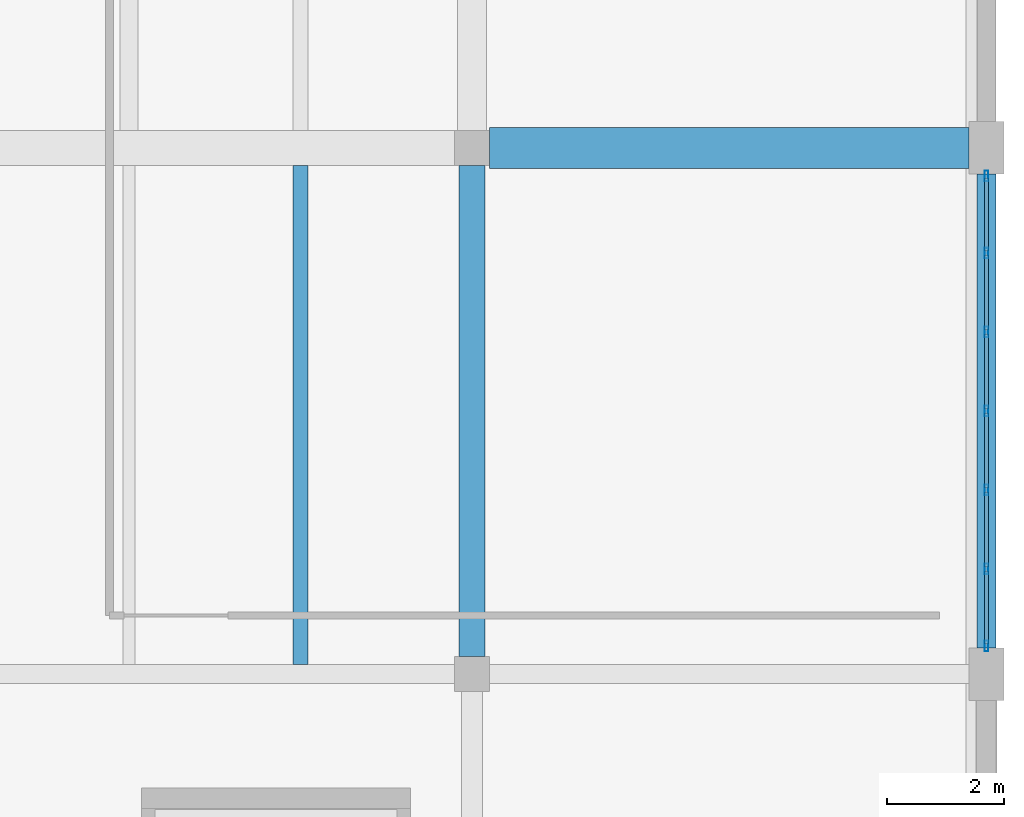
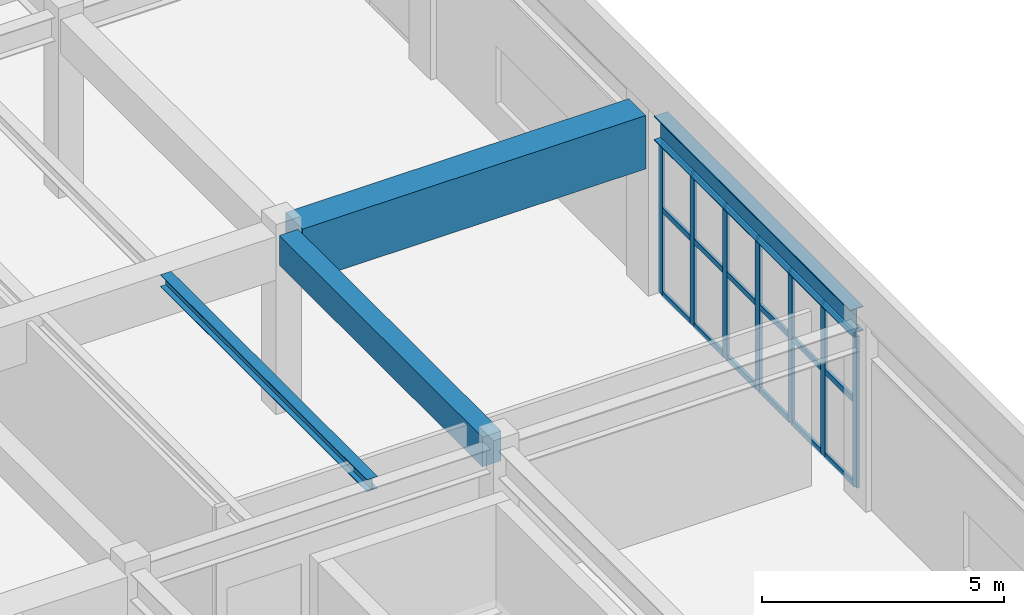
# One storey, part 57 of 96: 25 members, 4 beams, 1 element without a shape of its own.
"""IFC4 building model written with IfcOpenShell, lengths in metres."""

import ifcopenshell
import ifcopenshell.guid

model = None  # the IFC model being written
_history = None  # IfcOwnerHistory: only IFC2X3 demands one
_inside = {}  # id of a spatial element -> (the spatial element, [elements in it])
_under = {}  # id of a project, library or spatial element -> (it, [spatial elements below it])
_declared = {}  # id of a project -> (the project, [libraries it declares])
_typed = {}  # id of a type object -> (the type object, [elements of that type])
_made_of = {}  # id of a material, layer set ... -> (it, [elements and type objects made of it])


def new_model(schema):
    """Start an empty IFC model of exactly this schema.

    Asked for "IFC4X3", IfcOpenShell would pick the latest addendum, in which some entities
    have other attributes; the version numbers below select the first issue.
    IFC2X3 requires an IfcOwnerHistory on every rooted entity: one is made here for all.
    """
    global model, _history
    if schema == "IFC4X3":
        model = ifcopenshell.file(schema_version=(4, 3, 0, 0))
    else:
        model = ifcopenshell.file(schema=schema)
    _inside.clear()
    _under.clear()
    _declared.clear()
    _typed.clear()
    _made_of.clear()
    _history = None
    if model.schema == "IFC2X3":
        org = make("IfcOrganization", Name="unknown")
        user = make(
            "IfcPersonAndOrganization",
            ThePerson=make("IfcPerson", FamilyName="unknown"),
            TheOrganization=org,
        )
        app = make(
            "IfcApplication",
            ApplicationDeveloper=org,
            Version="unknown",
            ApplicationFullName="unknown",
            ApplicationIdentifier="unknown",
        )
        _history = make(
            "IfcOwnerHistory",
            OwningUser=user,
            OwningApplication=app,
            ChangeAction="ADDED",
            CreationDate=0,
        )
    return model


def make(cls, **values):
    """One entity of the class cls with the attributes given. An attribute that is None is left unset."""
    return model.create_entity(
        cls, **{name: value for name, value in values.items() if value is not None}
    )


def rooted(cls, **values):
    """An entity with a GlobalId (a new one), such as an element, a storey or a relation."""
    return make(cls, GlobalId=ifcopenshell.guid.new(), OwnerHistory=_history, **values)


def si_unit(unit_type, name, prefix=None):
    """IfcSIUnit, for example si_unit("LENGTHUNIT", "METRE", prefix="MILLI")."""
    return make("IfcSIUnit", UnitType=unit_type, Prefix=prefix, Name=name)


def assignment(units):
    """IfcUnitAssignment: the units of a project."""
    return None if units is None else make("IfcUnitAssignment", Units=units)


def point(xyz):
    """IfcCartesianPoint."""
    return None if xyz is None else make("IfcCartesianPoint", Coordinates=xyz)


def direction(xyz):
    """IfcDirection."""
    return None if xyz is None else make("IfcDirection", DirectionRatios=xyz)


def frame(location, z_axis=None, x_axis=None):
    """IfcAxis2Placement3D, a coordinate frame: its origin and axes. An axis left out is left unset."""
    return make(
        "IfcAxis2Placement3D",
        Location=point(location),
        Axis=direction(z_axis),
        RefDirection=direction(x_axis),
    )


def frame_2d(location, x_axis=None):
    """IfcAxis2Placement2D, a coordinate frame in the plane: its origin and x axis."""
    return make(
        "IfcAxis2Placement2D", Location=point(location), RefDirection=direction(x_axis)
    )


def origin():
    """The frame at (0, 0, 0) with its axes left unset."""
    return frame((0.0, 0.0, 0.0))


def origin_2d():
    """The frame at (0, 0) in the plane with its x axis left unset."""
    return frame_2d((0.0, 0.0))


def place(relative_to, where):
    """IfcLocalPlacement: puts the frame where relative to a parent placement (None: the world)."""
    return make(
        "IfcLocalPlacement", PlacementRelTo=relative_to, RelativePlacement=where
    )


def context(
    kind, dimensions, precision=None, world=None, true_north=None, identifier=None
):
    """IfcGeometricRepresentationContext, for example the 3D "Model" context."""
    return make(
        "IfcGeometricRepresentationContext",
        ContextIdentifier=identifier,
        ContextType=kind,
        CoordinateSpaceDimension=dimensions,
        Precision=precision,
        WorldCoordinateSystem=world,
        TrueNorth=true_north,
    )


def subcontext(parent, identifier, kind, view, scale=None):
    """IfcGeometricRepresentationSubContext, for example "Body" below "Model"."""
    return make(
        "IfcGeometricRepresentationSubContext",
        ContextIdentifier=identifier,
        ContextType=kind,
        ParentContext=parent,
        TargetScale=scale,
        TargetView=view,
    )


def project(units=None, contexts=None):
    """IfcProject with its units and contexts."""
    return rooted(
        "IfcProject",
        Name="project",
        RepresentationContexts=contexts,
        UnitsInContext=assignment(units),
    )


def spatial(cls, under=None, at=None, **own):
    """A site, building, storey or space (cls), placed at a placement, below another one or the project."""
    s = rooted(cls, ObjectPlacement=at, **own)
    if under is not None:
        _under.setdefault(under.id(), (under, []))[1].append(s)
    return s


def profile(cls, at=None, kind="AREA", **sizes):
    """A parametric profile (cls). Its sizes go by their IFC names, for example OverallWidth=200.0."""
    return make(cls, ProfileType=kind, Position=at, **sizes)


def rectangle(**sizes):
    """IfcRectangleProfileDef."""
    return profile("IfcRectangleProfileDef", **sizes)


def hollow_rectangle(**sizes):
    """IfcRectangleHollowProfileDef."""
    return profile("IfcRectangleHollowProfileDef", **sizes)


def i_section(**sizes):
    """IfcIShapeProfileDef."""
    return profile("IfcIShapeProfileDef", **sizes)


def extrude(swept, where, along, depth):
    """IfcExtrudedAreaSolid: the profile swept, set in the frame where, extruded along a direction by depth."""
    return make(
        "IfcExtrudedAreaSolid",
        SweptArea=swept,
        Position=where,
        ExtrudedDirection=direction(along),
        Depth=depth,
    )


def shape(context_of_items, identifier, shape_type, items):
    """IfcShapeRepresentation: the items that make up one representation, for example the "Body"."""
    return make(
        "IfcShapeRepresentation",
        ContextOfItems=context_of_items,
        RepresentationIdentifier=identifier,
        RepresentationType=shape_type,
        Items=items,
    )


def material(Name=None, Category=None):
    """IfcMaterial."""
    return make("IfcMaterial", Name=Name, Category=Category)


def layer(
    of_material, thickness, ventilated=None, Name=None, Category=None, Priority=None
):
    """IfcMaterialLayer: one layer of a wall or slab, of a material (None: an air gap)."""
    return make(
        "IfcMaterialLayer",
        Material=of_material,
        LayerThickness=thickness,
        IsVentilated=ventilated,
        Name=Name,
        Category=Category,
        Priority=Priority,
    )


def layer_set(layers, Name=None):
    """IfcMaterialLayerSet."""
    return make("IfcMaterialLayerSet", MaterialLayers=layers, LayerSetName=Name)


def material_profile(
    of_material, cross_section, Name=None, Category=None, Priority=None
):
    """IfcMaterialProfile: a cross section and its material."""
    return make(
        "IfcMaterialProfile",
        Name=Name,
        Material=of_material,
        Profile=cross_section,
        Priority=Priority,
        Category=Category,
    )


def profile_set(profiles, Name=None, composite=None):
    """IfcMaterialProfileSet."""
    return make(
        "IfcMaterialProfileSet",
        Name=Name,
        MaterialProfiles=profiles,
        CompositeProfile=composite,
    )


def made_of(thing, what):
    """Note that an element or type object is made of a material, layer set ...; save() writes the relation."""
    if what is not None:
        _made_of.setdefault(what.id(), (what, []))[1].append(thing)
    return thing


def type_object(cls, material=None, **own):
    """A type object (cls), such as IfcWallType, which elements share."""
    return made_of(rooted(cls, **own), material)


def element(
    cls,
    number,
    at=None,
    inside=None,
    cuts=None,
    type_object=None,
    material=None,
    context=None,
    identifier="Body",
    shape_type=None,
    held_by="IfcProductDefinitionShape",
    body=None,
    shapes=None,
    **own,
):
    """One element of the class cls, such as IfcWall. Its Tag is "e" and its number.

    at: its placement. inside: the storey or other place that contains it. cuts: it is an
    opening in that element (IfcRelVoidsElement). A single representation is given by context,
    identifier, shape_type and body (its items); several are given by shapes. held_by: the class
    of the entity that holds the representations. save() writes the other relations.
    """
    e = rooted(cls, Tag="e%d" % number, ObjectPlacement=at, **own)
    if body is not None:
        shapes = [shape(context, identifier, shape_type, body)]
    if shapes is not None:
        e.Representation = make(held_by, Representations=shapes)
    if inside is not None:
        _inside.setdefault(inside.id(), (inside, []))[1].append(e)
    if cuts is not None:
        rooted(
            "IfcRelVoidsElement", RelatingBuildingElement=cuts, RelatedOpeningElement=e
        )
    if type_object is not None:
        _typed.setdefault(type_object.id(), (type_object, []))[1].append(e)
    return made_of(e, material)


def aggregate(whole, parts):
    """IfcRelAggregates: a whole, such as a stair, and the parts it consists of."""
    return rooted("IfcRelAggregates", RelatingObject=whole, RelatedObjects=parts)


def save(model, path):
    """Write the relations noted so far, then the file.

    IfcRelAggregates (storeys below a building ...), IfcRelContainedInSpatialStructure (elements
    in a storey), IfcRelDefinesByType, IfcRelAssociatesMaterial and IfcRelDeclares: one each for
    every whole, place, type object, material and project.
    """
    for whole, parts in _under.values():
        aggregate(whole, parts)
    for where, things in _inside.values():
        rooted(
            "IfcRelContainedInSpatialStructure",
            RelatedElements=things,
            RelatingStructure=where,
        )
    for kind, things in _typed.values():
        rooted("IfcRelDefinesByType", RelatedObjects=things, RelatingType=kind)
    for what, things in _made_of.values():
        rooted("IfcRelAssociatesMaterial", RelatedObjects=things, RelatingMaterial=what)
    for by, libraries in _declared.values():
        rooted("IfcRelDeclares", RelatingContext=by, RelatedDefinitions=libraries)
    model.write(path)


model = new_model("IFC4")

# Units and contexts
model_context = context("Model", 3, precision=1e-05, world=origin(), true_north=direction((0.0, 1.0)))
body_context = subcontext(model_context, "Body", "Model", "MODEL_VIEW")
ifc_project = project(units=[si_unit("LENGTHUNIT", "METRE"), si_unit("AREAUNIT", "SQUARE_METRE"), si_unit("VOLUMEUNIT", "CUBIC_METRE"), si_unit("PLANEANGLEUNIT", "RADIAN"), si_unit("MASSUNIT", "GRAM", prefix="KILO")], contexts=[model_context])

# Site, building, storey
site_placement = place(None, origin())
site = spatial("IfcSite", under=ifc_project, at=site_placement, CompositionType="ELEMENT")
building_placement = place(site_placement, origin())
building = spatial("IfcBuilding", under=site, at=building_placement, Name="Vaelkrest Opera House", CompositionType="ELEMENT")
storey_placement = place(building_placement, frame((0.0, 0.0, 5.39990234375)))
storey = spatial("IfcBuildingStorey", under=building, at=storey_placement, Name="L01", CompositionType="ELEMENT", Elevation=5.39990234375)

# Beams
ifc_material_1 = material(Name="Concrete C50/60", Category="concrete")
ifc_material_profile_1 = material_profile(ifc_material_1, rectangle(XDim=0.449951171875, YDim=0.75, at=origin_2d()), Name="RCB450X750")
ifc_profile_set_1 = profile_set([ifc_material_profile_1], Name="Concrete C50/60")
beam_type_1 = type_object("IfcBeamType", Name="B02", PredefinedType="BEAM", material=ifc_profile_set_1)
beam_1_placement = place(storey_placement, frame((77.60009765625, -7.5, 4.125), z_axis=(0.0, 1.0, 0.0), x_axis=(-1.0, 0.0, 0.0)))
element("IfcBeam", 1, at=beam_1_placement, inside=storey, type_object=beam_type_1, Name="Beam BM-V4-L01-2203", PredefinedType="BEAM", context=body_context, shape_type="SweptSolid", body=[
    extrude(rectangle(XDim=0.449951171875, YDim=0.75, at=origin_2d()), origin(), (0.0, 0.0, 1.0), 8.39990234375),
])
ifc_material_profile_2 = material_profile(ifc_material_1, rectangle(XDim=0.699951171875, YDim=1.35009765625, at=origin_2d()), Name="RCB700X1350")
ifc_profile_set_2 = profile_set([ifc_material_profile_2], Name="Concrete C50/60")
beam_type_2 = type_object("IfcBeamType", Name="B06", PredefinedType="BEAM", material=ifc_profile_set_2)
beam_2_placement = place(storey_placement, frame((77.89990234375, 1.199951171875, 3.830078125), z_axis=(1.0, 0.0, 0.0), x_axis=(0.0, 1.0, 0.0)))
element("IfcBeam", 2, at=beam_2_placement, inside=storey, type_object=beam_type_2, Name="Beam BM-V4-L01-2143", PredefinedType="BEAM", context=body_context, shape_type="SweptSolid", body=[
    extrude(rectangle(XDim=0.699951171875, YDim=1.35009765625, at=origin_2d()), origin(), (0.0, 0.0, 1.0), 8.2001953125),
])

# Curtain wall, members
ifc_material_2 = material(Name="Dark bronze anodized aluminium", Category="aluminium")
ifc_layer = layer(ifc_material_2, 0.179931640625)
ifc_layer_set = layer_set([ifc_layer], Name="Dark bronze anodized aluminium")
curtain_wall_type = type_object("IfcCurtainWallType", Name="CW01", PredefinedType="NOTDEFINED", material=ifc_layer_set)
curtain_wall_placement = place(storey_placement, origin())
curtain_wall = element("IfcCurtainWall", 3, at=curtain_wall_placement, inside=storey, type_object=curtain_wall_type, Name="Curtain wall CW-L01-159", PredefinedType="NOTDEFINED")
ifc_material_profile_3 = material_profile(ifc_material_2, hollow_rectangle(XDim=0.06494140625, YDim=0.179931640625, WallThickness=0.00390625, at=origin_2d()), Name="CWM65X180")
ifc_profile_set_3 = profile_set([ifc_material_profile_3], Name="Dark bronze anodized aluminium")
member_type_1 = type_object("IfcMemberType", Name="CWM01", PredefinedType="MULLION", material=ifc_profile_set_3)
member_1_placement = place(storey_placement, frame((86.39990234375, 0.719482421875, 0.0), z_axis=(0.0, 0.0, 1.0), x_axis=(1.0, 0.0, 0.0)))
member_1 = element("IfcMember", 4, at=member_1_placement, type_object=member_type_1, Name="CW01 mullion 1", PredefinedType="MULLION", context=body_context, shape_type="SweptSolid", body=[
    extrude(hollow_rectangle(XDim=0.06494140625, YDim=0.179931640625, WallThickness=0.00390625, at=origin_2d()), origin(), (0.0, 0.0, 1.0), 3.8291015625),
])
member_2_placement = place(storey_placement, frame((86.39990234375, -0.5986328125, 0.0), z_axis=(0.0, 0.0, 1.0), x_axis=(1.0, 0.0, 0.0)))
member_2 = element("IfcMember", 5, at=member_2_placement, type_object=member_type_1, Name="CW01 mullion 2", PredefinedType="MULLION", context=body_context, shape_type="SweptSolid", body=[
    extrude(hollow_rectangle(XDim=0.06494140625, YDim=0.179931640625, WallThickness=0.00390625, at=origin_2d()), origin(), (0.0, 0.0, 1.0), 3.8291015625),
])
member_3_placement = place(storey_placement, frame((86.39990234375, -1.94921875, 0.0), z_axis=(0.0, 0.0, 1.0), x_axis=(1.0, 0.0, 0.0)))
member_3 = element("IfcMember", 6, at=member_3_placement, type_object=member_type_1, Name="CW01 mullion 3", PredefinedType="MULLION", context=body_context, shape_type="SweptSolid", body=[
    extrude(hollow_rectangle(XDim=0.06494140625, YDim=0.179931640625, WallThickness=0.00390625, at=origin_2d()), origin(), (0.0, 0.0, 1.0), 3.8291015625),
])
member_4_placement = place(storey_placement, frame((86.39990234375, -3.300048828125, 0.0), z_axis=(0.0, 0.0, 1.0), x_axis=(1.0, 0.0, 0.0)))
member_4 = element("IfcMember", 7, at=member_4_placement, type_object=member_type_1, Name="CW01 mullion 4", PredefinedType="MULLION", context=body_context, shape_type="SweptSolid", body=[
    extrude(hollow_rectangle(XDim=0.06494140625, YDim=0.179931640625, WallThickness=0.00390625, at=origin_2d()), origin(), (0.0, 0.0, 1.0), 3.8291015625),
])
member_5_placement = place(storey_placement, frame((86.39990234375, -4.650634765625, 0.0), z_axis=(0.0, 0.0, 1.0), x_axis=(1.0, 0.0, 0.0)))
member_5 = element("IfcMember", 8, at=member_5_placement, type_object=member_type_1, Name="CW01 mullion 5", PredefinedType="MULLION", context=body_context, shape_type="SweptSolid", body=[
    extrude(hollow_rectangle(XDim=0.06494140625, YDim=0.179931640625, WallThickness=0.00390625, at=origin_2d()), origin(), (0.0, 0.0, 1.0), 3.8291015625),
])
member_6_placement = place(storey_placement, frame((86.39990234375, -6.001220703125, 0.0), z_axis=(0.0, 0.0, 1.0), x_axis=(1.0, 0.0, 0.0)))
member_6 = element("IfcMember", 9, at=member_6_placement, type_object=member_type_1, Name="CW01 mullion 6", PredefinedType="MULLION", context=body_context, shape_type="SweptSolid", body=[
    extrude(hollow_rectangle(XDim=0.06494140625, YDim=0.179931640625, WallThickness=0.00390625, at=origin_2d()), origin(), (0.0, 0.0, 1.0), 3.8291015625),
])
member_7_placement = place(storey_placement, frame((86.39990234375, -7.319580078125, 0.0), z_axis=(0.0, 0.0, 1.0), x_axis=(1.0, 0.0, 0.0)))
member_7 = element("IfcMember", 10, at=member_7_placement, type_object=member_type_1, Name="CW01 mullion 7", PredefinedType="MULLION", context=body_context, shape_type="SweptSolid", body=[
    extrude(hollow_rectangle(XDim=0.06494140625, YDim=0.179931640625, WallThickness=0.00390625, at=origin_2d()), origin(), (0.0, 0.0, 1.0), 3.8291015625),
])
ifc_material_profile_4 = material_profile(ifc_material_2, hollow_rectangle(XDim=0.06494140625, YDim=0.139892578125, WallThickness=0.00390625, at=origin_2d()), Name="CWT65X140")
ifc_profile_set_4 = profile_set([ifc_material_profile_4], Name="Dark bronze anodized aluminium")
member_type_2 = type_object("IfcMemberType", Name="CWT01", PredefinedType="USERDEFINED", material=ifc_profile_set_4)
member_8_placement = place(storey_placement, frame((86.39990234375, 0.68701171875, 0.03271484375), z_axis=(0.0, -1.0, 0.0), x_axis=(1.0, 0.0, 0.0)))
member_8 = element("IfcMember", 11, at=member_8_placement, type_object=member_type_2, Name="CW01 transom 1.1", ObjectType="TRANSOM", PredefinedType="USERDEFINED", context=body_context, shape_type="SweptSolid", body=[
    extrude(hollow_rectangle(XDim=0.06494140625, YDim=0.139892578125, WallThickness=0.00390625, at=origin_2d()), origin(), (0.0, 0.0, 1.0), 1.253173828125),
])
member_9_placement = place(storey_placement, frame((86.39990234375, 0.68701171875, 2.150146484375), z_axis=(0.0, -1.0, 0.0), x_axis=(1.0, 0.0, 0.0)))
member_9 = element("IfcMember", 12, at=member_9_placement, type_object=member_type_2, Name="CW01 transom 1.2", ObjectType="TRANSOM", PredefinedType="USERDEFINED", context=body_context, shape_type="SweptSolid", body=[
    extrude(hollow_rectangle(XDim=0.06494140625, YDim=0.139892578125, WallThickness=0.00390625, at=origin_2d()), origin(), (0.0, 0.0, 1.0), 1.253173828125),
])
member_10_placement = place(storey_placement, frame((86.39990234375, 0.68701171875, 3.796630859375), z_axis=(0.0, -1.0, 0.0), x_axis=(1.0, 0.0, 0.0)))
member_10 = element("IfcMember", 13, at=member_10_placement, type_object=member_type_2, Name="CW01 transom 1.3", ObjectType="TRANSOM", PredefinedType="USERDEFINED", context=body_context, shape_type="SweptSolid", body=[
    extrude(hollow_rectangle(XDim=0.06494140625, YDim=0.139892578125, WallThickness=0.00390625, at=origin_2d()), origin(), (0.0, 0.0, 1.0), 1.253173828125),
])
member_11_placement = place(storey_placement, frame((86.39990234375, -0.631103515625, 0.03271484375), z_axis=(0.0, -1.0, 0.0), x_axis=(1.0, 0.0, 0.0)))
member_11 = element("IfcMember", 14, at=member_11_placement, type_object=member_type_2, Name="CW01 transom 2.1", ObjectType="TRANSOM", PredefinedType="USERDEFINED", context=body_context, shape_type="SweptSolid", body=[
    extrude(hollow_rectangle(XDim=0.06494140625, YDim=0.139892578125, WallThickness=0.00390625, at=origin_2d()), origin(), (0.0, 0.0, 1.0), 1.28564453125),
])
member_12_placement = place(storey_placement, frame((86.39990234375, -0.631103515625, 2.150146484375), z_axis=(0.0, -1.0, 0.0), x_axis=(1.0, 0.0, 0.0)))
member_12 = element("IfcMember", 15, at=member_12_placement, type_object=member_type_2, Name="CW01 transom 2.2", ObjectType="TRANSOM", PredefinedType="USERDEFINED", context=body_context, shape_type="SweptSolid", body=[
    extrude(hollow_rectangle(XDim=0.06494140625, YDim=0.139892578125, WallThickness=0.00390625, at=origin_2d()), origin(), (0.0, 0.0, 1.0), 1.28564453125),
])
member_13_placement = place(storey_placement, frame((86.39990234375, -0.631103515625, 3.796630859375), z_axis=(0.0, -1.0, 0.0), x_axis=(1.0, 0.0, 0.0)))
member_13 = element("IfcMember", 16, at=member_13_placement, type_object=member_type_2, Name="CW01 transom 2.3", ObjectType="TRANSOM", PredefinedType="USERDEFINED", context=body_context, shape_type="SweptSolid", body=[
    extrude(hollow_rectangle(XDim=0.06494140625, YDim=0.139892578125, WallThickness=0.00390625, at=origin_2d()), origin(), (0.0, 0.0, 1.0), 1.28564453125),
])
member_14_placement = place(storey_placement, frame((86.39990234375, -1.98193359375, 0.03271484375), z_axis=(0.0, -1.0, 0.0), x_axis=(1.0, 0.0, 0.0)))
member_14 = element("IfcMember", 17, at=member_14_placement, type_object=member_type_2, Name="CW01 transom 3.1", ObjectType="TRANSOM", PredefinedType="USERDEFINED", context=body_context, shape_type="SweptSolid", body=[
    extrude(hollow_rectangle(XDim=0.06494140625, YDim=0.139892578125, WallThickness=0.00390625, at=origin_2d()), origin(), (0.0, 0.0, 1.0), 1.28564453125),
])
member_15_placement = place(storey_placement, frame((86.39990234375, -1.98193359375, 2.150146484375), z_axis=(0.0, -1.0, 0.0), x_axis=(1.0, 0.0, 0.0)))
member_15 = element("IfcMember", 18, at=member_15_placement, type_object=member_type_2, Name="CW01 transom 3.2", ObjectType="TRANSOM", PredefinedType="USERDEFINED", context=body_context, shape_type="SweptSolid", body=[
    extrude(hollow_rectangle(XDim=0.06494140625, YDim=0.139892578125, WallThickness=0.00390625, at=origin_2d()), origin(), (0.0, 0.0, 1.0), 1.28564453125),
])
member_16_placement = place(storey_placement, frame((86.39990234375, -1.98193359375, 3.796630859375), z_axis=(0.0, -1.0, 0.0), x_axis=(1.0, 0.0, 0.0)))
member_16 = element("IfcMember", 19, at=member_16_placement, type_object=member_type_2, Name="CW01 transom 3.3", ObjectType="TRANSOM", PredefinedType="USERDEFINED", context=body_context, shape_type="SweptSolid", body=[
    extrude(hollow_rectangle(XDim=0.06494140625, YDim=0.139892578125, WallThickness=0.00390625, at=origin_2d()), origin(), (0.0, 0.0, 1.0), 1.28564453125),
])
member_17_placement = place(storey_placement, frame((86.39990234375, -3.33251953125, 0.03271484375), z_axis=(0.0, -1.0, 0.0), x_axis=(1.0, 0.0, 0.0)))
member_17 = element("IfcMember", 20, at=member_17_placement, type_object=member_type_2, Name="CW01 transom 4.1", ObjectType="TRANSOM", PredefinedType="USERDEFINED", context=body_context, shape_type="SweptSolid", body=[
    extrude(hollow_rectangle(XDim=0.06494140625, YDim=0.139892578125, WallThickness=0.00390625, at=origin_2d()), origin(), (0.0, 0.0, 1.0), 1.28564453125),
])
member_18_placement = place(storey_placement, frame((86.39990234375, -3.33251953125, 2.150146484375), z_axis=(0.0, -1.0, 0.0), x_axis=(1.0, 0.0, 0.0)))
member_18 = element("IfcMember", 21, at=member_18_placement, type_object=member_type_2, Name="CW01 transom 4.2", ObjectType="TRANSOM", PredefinedType="USERDEFINED", context=body_context, shape_type="SweptSolid", body=[
    extrude(hollow_rectangle(XDim=0.06494140625, YDim=0.139892578125, WallThickness=0.00390625, at=origin_2d()), origin(), (0.0, 0.0, 1.0), 1.28564453125),
])
member_19_placement = place(storey_placement, frame((86.39990234375, -3.33251953125, 3.796630859375), z_axis=(0.0, -1.0, 0.0), x_axis=(1.0, 0.0, 0.0)))
member_19 = element("IfcMember", 22, at=member_19_placement, type_object=member_type_2, Name="CW01 transom 4.3", ObjectType="TRANSOM", PredefinedType="USERDEFINED", context=body_context, shape_type="SweptSolid", body=[
    extrude(hollow_rectangle(XDim=0.06494140625, YDim=0.139892578125, WallThickness=0.00390625, at=origin_2d()), origin(), (0.0, 0.0, 1.0), 1.28564453125),
])
member_20_placement = place(storey_placement, frame((86.39990234375, -4.68310546875, 0.03271484375), z_axis=(0.0, -1.0, 0.0), x_axis=(1.0, 0.0, 0.0)))
member_20 = element("IfcMember", 23, at=member_20_placement, type_object=member_type_2, Name="CW01 transom 5.1", ObjectType="TRANSOM", PredefinedType="USERDEFINED", context=body_context, shape_type="SweptSolid", body=[
    extrude(hollow_rectangle(XDim=0.06494140625, YDim=0.139892578125, WallThickness=0.00390625, at=origin_2d()), origin(), (0.0, 0.0, 1.0), 1.28564453125),
])
member_21_placement = place(storey_placement, frame((86.39990234375, -4.68310546875, 2.150146484375), z_axis=(0.0, -1.0, 0.0), x_axis=(1.0, 0.0, 0.0)))
member_21 = element("IfcMember", 24, at=member_21_placement, type_object=member_type_2, Name="CW01 transom 5.2", ObjectType="TRANSOM", PredefinedType="USERDEFINED", context=body_context, shape_type="SweptSolid", body=[
    extrude(hollow_rectangle(XDim=0.06494140625, YDim=0.139892578125, WallThickness=0.00390625, at=origin_2d()), origin(), (0.0, 0.0, 1.0), 1.28564453125),
])
member_22_placement = place(storey_placement, frame((86.39990234375, -4.68310546875, 3.796630859375), z_axis=(0.0, -1.0, 0.0), x_axis=(1.0, 0.0, 0.0)))
member_22 = element("IfcMember", 25, at=member_22_placement, type_object=member_type_2, Name="CW01 transom 5.3", ObjectType="TRANSOM", PredefinedType="USERDEFINED", context=body_context, shape_type="SweptSolid", body=[
    extrude(hollow_rectangle(XDim=0.06494140625, YDim=0.139892578125, WallThickness=0.00390625, at=origin_2d()), origin(), (0.0, 0.0, 1.0), 1.28564453125),
])
member_23_placement = place(storey_placement, frame((86.39990234375, -6.033935546875, 0.03271484375), z_axis=(0.0, -1.0, 0.0), x_axis=(1.0, 0.0, 0.0)))
member_23 = element("IfcMember", 26, at=member_23_placement, type_object=member_type_2, Name="CW01 transom 6.1", ObjectType="TRANSOM", PredefinedType="USERDEFINED", context=body_context, shape_type="SweptSolid", body=[
    extrude(hollow_rectangle(XDim=0.06494140625, YDim=0.139892578125, WallThickness=0.00390625, at=origin_2d()), origin(), (0.0, 0.0, 1.0), 1.253173828125),
])
member_24_placement = place(storey_placement, frame((86.39990234375, -6.033935546875, 2.150146484375), z_axis=(0.0, -1.0, 0.0), x_axis=(1.0, 0.0, 0.0)))
member_24 = element("IfcMember", 27, at=member_24_placement, type_object=member_type_2, Name="CW01 transom 6.2", ObjectType="TRANSOM", PredefinedType="USERDEFINED", context=body_context, shape_type="SweptSolid", body=[
    extrude(hollow_rectangle(XDim=0.06494140625, YDim=0.139892578125, WallThickness=0.00390625, at=origin_2d()), origin(), (0.0, 0.0, 1.0), 1.253173828125),
])
member_25_placement = place(storey_placement, frame((86.39990234375, -6.033935546875, 3.796630859375), z_axis=(0.0, -1.0, 0.0), x_axis=(1.0, 0.0, 0.0)))
member_25 = element("IfcMember", 28, at=member_25_placement, type_object=member_type_2, Name="CW01 transom 6.3", ObjectType="TRANSOM", PredefinedType="USERDEFINED", context=body_context, shape_type="SweptSolid", body=[
    extrude(hollow_rectangle(XDim=0.06494140625, YDim=0.139892578125, WallThickness=0.00390625, at=origin_2d()), origin(), (0.0, 0.0, 1.0), 1.253173828125),
])
aggregate(curtain_wall, [member_1, member_2, member_3, member_4, member_5, member_6, member_7, member_8, member_9, member_10, member_11, member_12, member_13, member_14, member_15, member_16, member_17, member_18, member_19, member_20, member_21, member_22, member_23, member_24, member_25])

# Beams
ifc_material_3 = material(Name="Steel A992 Gr50", Category="steel")
ifc_material_profile_5 = material_profile(ifc_material_3, i_section(OverallWidth=0.25390625, OverallDepth=0.305908203125, WebThickness=0.0087890625, FlangeThickness=0.0146484375, at=origin_2d()), Name="W12X53")
ifc_profile_set_5 = profile_set([ifc_material_profile_5], Name="Steel A992 Gr50")
beam_type_3 = type_object("IfcBeamType", Name="J03", PredefinedType="JOIST", material=ifc_profile_set_5)
beam_3_placement = place(storey_placement, frame((74.6669921875, -7.637939453125, 4.34716796875), z_axis=(0.0, 1.0, 0.0), x_axis=(-1.0, 0.0, 0.0)))
element("IfcBeam", 29, at=beam_3_placement, inside=storey, type_object=beam_type_3, Name="Floor joist JST-V4-L01-2243", PredefinedType="JOIST", context=body_context, shape_type="SweptSolid", body=[
    extrude(i_section(OverallWidth=0.25390625, OverallDepth=0.305908203125, WebThickness=0.0087890625, FlangeThickness=0.0146484375, at=origin_2d()), origin(), (0.0, 0.0, 1.0), 8.537841796875),
])
ifc_material_profile_6 = material_profile(ifc_material_3, i_section(OverallWidth=0.323974609375, OverallDepth=0.611083984375, WebThickness=0.0126953125, FlangeThickness=0.01904296875, at=origin_2d()), Name="W24X104")
ifc_profile_set_6 = profile_set([ifc_material_profile_6], Name="Steel A992 Gr50")
beam_type_4 = type_object("IfcBeamType", Name="SP01", PredefinedType="SPANDREL", material=ifc_profile_set_6)
beam_4_placement = place(storey_placement, frame((86.39990234375, -7.35009765625, 4.19970703125), z_axis=(0.0, 1.0, 0.0), x_axis=(-1.0, 0.0, 0.0)))
element("IfcBeam", 30, at=beam_4_placement, inside=storey, type_object=beam_type_4, Name="Beam BM-V4-L01-2211", PredefinedType="SPANDREL", context=body_context, shape_type="SweptSolid", body=[
    extrude(i_section(OverallWidth=0.323974609375, OverallDepth=0.611083984375, WebThickness=0.0126953125, FlangeThickness=0.01904296875, at=origin_2d()), origin(), (0.0, 0.0, 1.0), 8.10009765625),
])

save(model, "model.ifc")
